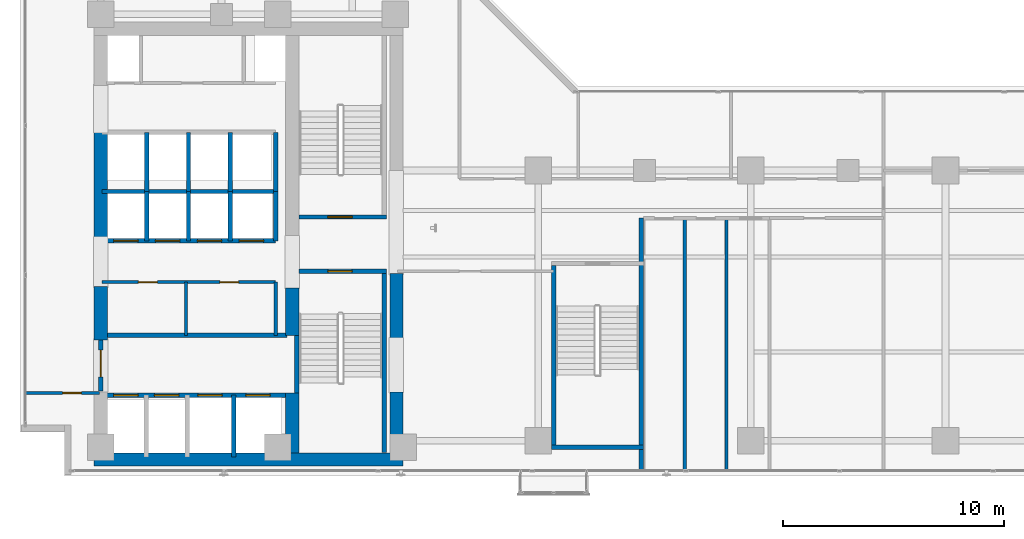
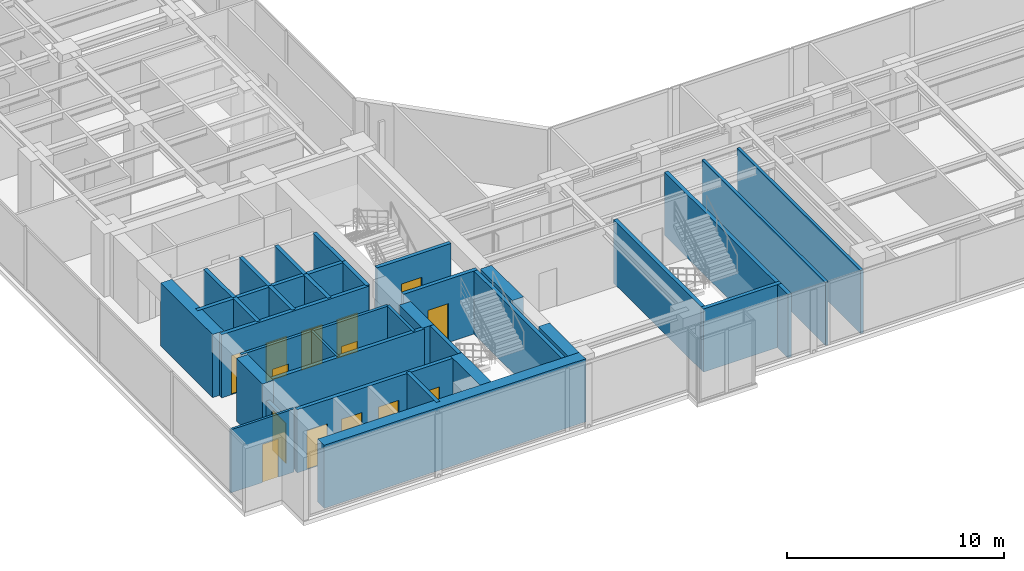
# One storey, part 19 of 24: 34 walls, 14 doors, 14 openings.
"""IFC4 building model written with IfcOpenShell, lengths in metres."""

import ifcopenshell
import ifcopenshell.guid

model = None  # the IFC model being written
_history = None  # IfcOwnerHistory: only IFC2X3 demands one
_inside = {}  # id of a spatial element -> (the spatial element, [elements in it])
_under = {}  # id of a project, library or spatial element -> (it, [spatial elements below it])
_declared = {}  # id of a project -> (the project, [libraries it declares])
_typed = {}  # id of a type object -> (the type object, [elements of that type])
_made_of = {}  # id of a material, layer set ... -> (it, [elements and type objects made of it])


def new_model(schema):
    """Start an empty IFC model of exactly this schema.

    Asked for "IFC4X3", IfcOpenShell would pick the latest addendum, in which some entities
    have other attributes; the version numbers below select the first issue.
    IFC2X3 requires an IfcOwnerHistory on every rooted entity: one is made here for all.
    """
    global model, _history
    if schema == "IFC4X3":
        model = ifcopenshell.file(schema_version=(4, 3, 0, 0))
    else:
        model = ifcopenshell.file(schema=schema)
    _inside.clear()
    _under.clear()
    _declared.clear()
    _typed.clear()
    _made_of.clear()
    _history = None
    if model.schema == "IFC2X3":
        org = make("IfcOrganization", Name="unknown")
        user = make(
            "IfcPersonAndOrganization",
            ThePerson=make("IfcPerson", FamilyName="unknown"),
            TheOrganization=org,
        )
        app = make(
            "IfcApplication",
            ApplicationDeveloper=org,
            Version="unknown",
            ApplicationFullName="unknown",
            ApplicationIdentifier="unknown",
        )
        _history = make(
            "IfcOwnerHistory",
            OwningUser=user,
            OwningApplication=app,
            ChangeAction="ADDED",
            CreationDate=0,
        )
    return model


def make(cls, **values):
    """One entity of the class cls with the attributes given. An attribute that is None is left unset."""
    return model.create_entity(
        cls, **{name: value for name, value in values.items() if value is not None}
    )


def rooted(cls, **values):
    """An entity with a GlobalId (a new one), such as an element, a storey or a relation."""
    return make(cls, GlobalId=ifcopenshell.guid.new(), OwnerHistory=_history, **values)


def si_unit(unit_type, name, prefix=None):
    """IfcSIUnit, for example si_unit("LENGTHUNIT", "METRE", prefix="MILLI")."""
    return make("IfcSIUnit", UnitType=unit_type, Prefix=prefix, Name=name)


def assignment(units):
    """IfcUnitAssignment: the units of a project."""
    return None if units is None else make("IfcUnitAssignment", Units=units)


def point(xyz):
    """IfcCartesianPoint."""
    return None if xyz is None else make("IfcCartesianPoint", Coordinates=xyz)


def direction(xyz):
    """IfcDirection."""
    return None if xyz is None else make("IfcDirection", DirectionRatios=xyz)


def frame(location, z_axis=None, x_axis=None):
    """IfcAxis2Placement3D, a coordinate frame: its origin and axes. An axis left out is left unset."""
    return make(
        "IfcAxis2Placement3D",
        Location=point(location),
        Axis=direction(z_axis),
        RefDirection=direction(x_axis),
    )


def frame_2d(location, x_axis=None):
    """IfcAxis2Placement2D, a coordinate frame in the plane: its origin and x axis."""
    return make(
        "IfcAxis2Placement2D", Location=point(location), RefDirection=direction(x_axis)
    )


def origin():
    """The frame at (0, 0, 0) with its axes left unset."""
    return frame((0.0, 0.0, 0.0))


def place(relative_to, where):
    """IfcLocalPlacement: puts the frame where relative to a parent placement (None: the world)."""
    return make(
        "IfcLocalPlacement", PlacementRelTo=relative_to, RelativePlacement=where
    )


def context(
    kind, dimensions, precision=None, world=None, true_north=None, identifier=None
):
    """IfcGeometricRepresentationContext, for example the 3D "Model" context."""
    return make(
        "IfcGeometricRepresentationContext",
        ContextIdentifier=identifier,
        ContextType=kind,
        CoordinateSpaceDimension=dimensions,
        Precision=precision,
        WorldCoordinateSystem=world,
        TrueNorth=true_north,
    )


def subcontext(parent, identifier, kind, view, scale=None):
    """IfcGeometricRepresentationSubContext, for example "Body" below "Model"."""
    return make(
        "IfcGeometricRepresentationSubContext",
        ContextIdentifier=identifier,
        ContextType=kind,
        ParentContext=parent,
        TargetScale=scale,
        TargetView=view,
    )


def project(units=None, contexts=None):
    """IfcProject with its units and contexts."""
    return rooted(
        "IfcProject",
        Name="project",
        RepresentationContexts=contexts,
        UnitsInContext=assignment(units),
    )


def spatial(cls, under=None, at=None, **own):
    """A site, building, storey or space (cls), placed at a placement, below another one or the project."""
    s = rooted(cls, ObjectPlacement=at, **own)
    if under is not None:
        _under.setdefault(under.id(), (under, []))[1].append(s)
    return s


def profile(cls, at=None, kind="AREA", **sizes):
    """A parametric profile (cls). Its sizes go by their IFC names, for example OverallWidth=200.0."""
    return make(cls, ProfileType=kind, Position=at, **sizes)


def rectangle(**sizes):
    """IfcRectangleProfileDef."""
    return profile("IfcRectangleProfileDef", **sizes)


def extrude(swept, where, along, depth):
    """IfcExtrudedAreaSolid: the profile swept, set in the frame where, extruded along a direction by depth."""
    return make(
        "IfcExtrudedAreaSolid",
        SweptArea=swept,
        Position=where,
        ExtrudedDirection=direction(along),
        Depth=depth,
    )


def shape(context_of_items, identifier, shape_type, items):
    """IfcShapeRepresentation: the items that make up one representation, for example the "Body"."""
    return make(
        "IfcShapeRepresentation",
        ContextOfItems=context_of_items,
        RepresentationIdentifier=identifier,
        RepresentationType=shape_type,
        Items=items,
    )


def material(Name=None, Category=None):
    """IfcMaterial."""
    return make("IfcMaterial", Name=Name, Category=Category)


def layer(
    of_material, thickness, ventilated=None, Name=None, Category=None, Priority=None
):
    """IfcMaterialLayer: one layer of a wall or slab, of a material (None: an air gap)."""
    return make(
        "IfcMaterialLayer",
        Material=of_material,
        LayerThickness=thickness,
        IsVentilated=ventilated,
        Name=Name,
        Category=Category,
        Priority=Priority,
    )


def layer_set(layers, Name=None):
    """IfcMaterialLayerSet."""
    return make("IfcMaterialLayerSet", MaterialLayers=layers, LayerSetName=Name)


def made_of(thing, what):
    """Note that an element or type object is made of a material, layer set ...; save() writes the relation."""
    if what is not None:
        _made_of.setdefault(what.id(), (what, []))[1].append(thing)
    return thing


def type_object(cls, material=None, **own):
    """A type object (cls), such as IfcWallType, which elements share."""
    return made_of(rooted(cls, **own), material)


def element(
    cls,
    number,
    at=None,
    inside=None,
    cuts=None,
    type_object=None,
    material=None,
    context=None,
    identifier="Body",
    shape_type=None,
    held_by="IfcProductDefinitionShape",
    body=None,
    shapes=None,
    **own,
):
    """One element of the class cls, such as IfcWall. Its Tag is "e" and its number.

    at: its placement. inside: the storey or other place that contains it. cuts: it is an
    opening in that element (IfcRelVoidsElement). A single representation is given by context,
    identifier, shape_type and body (its items); several are given by shapes. held_by: the class
    of the entity that holds the representations. save() writes the other relations.
    """
    e = rooted(cls, Tag="e%d" % number, ObjectPlacement=at, **own)
    if body is not None:
        shapes = [shape(context, identifier, shape_type, body)]
    if shapes is not None:
        e.Representation = make(held_by, Representations=shapes)
    if inside is not None:
        _inside.setdefault(inside.id(), (inside, []))[1].append(e)
    if cuts is not None:
        rooted(
            "IfcRelVoidsElement", RelatingBuildingElement=cuts, RelatedOpeningElement=e
        )
    if type_object is not None:
        _typed.setdefault(type_object.id(), (type_object, []))[1].append(e)
    return made_of(e, material)


def fill(opening, filler):
    """IfcRelFillsElement: the door or window that sits in an opening."""
    return rooted(
        "IfcRelFillsElement",
        RelatingOpeningElement=opening,
        RelatedBuildingElement=filler,
    )


def aggregate(whole, parts):
    """IfcRelAggregates: a whole, such as a stair, and the parts it consists of."""
    return rooted("IfcRelAggregates", RelatingObject=whole, RelatedObjects=parts)


def save(model, path):
    """Write the relations noted so far, then the file.

    IfcRelAggregates (storeys below a building ...), IfcRelContainedInSpatialStructure (elements
    in a storey), IfcRelDefinesByType, IfcRelAssociatesMaterial and IfcRelDeclares: one each for
    every whole, place, type object, material and project.
    """
    for whole, parts in _under.values():
        aggregate(whole, parts)
    for where, things in _inside.values():
        rooted(
            "IfcRelContainedInSpatialStructure",
            RelatedElements=things,
            RelatingStructure=where,
        )
    for kind, things in _typed.values():
        rooted("IfcRelDefinesByType", RelatedObjects=things, RelatingType=kind)
    for what, things in _made_of.values():
        rooted("IfcRelAssociatesMaterial", RelatedObjects=things, RelatingMaterial=what)
    for by, libraries in _declared.values():
        rooted("IfcRelDeclares", RelatingContext=by, RelatedDefinitions=libraries)
    model.write(path)


model = new_model("IFC4")

# Units and contexts
model_context = context("Model", 3, precision=1e-05, world=origin(), true_north=direction((0.0, 1.0)))
body_context = subcontext(model_context, "Body", "Model", "MODEL_VIEW")
ifc_project = project(units=[si_unit("LENGTHUNIT", "METRE"), si_unit("AREAUNIT", "SQUARE_METRE"), si_unit("VOLUMEUNIT", "CUBIC_METRE"), si_unit("PLANEANGLEUNIT", "RADIAN"), si_unit("MASSUNIT", "GRAM", prefix="KILO")], contexts=[model_context])

# Site, building, storey
site_placement = place(None, origin())
site = spatial("IfcSite", under=ifc_project, at=site_placement, CompositionType="ELEMENT")
building_placement = place(site_placement, origin())
building = spatial("IfcBuilding", under=site, at=building_placement, Name="Kolvaren Waterfront Exchange", CompositionType="ELEMENT")
storey_placement = place(building_placement, frame((0.0, 0.0, 184.199951171875)))
storey = spatial("IfcBuildingStorey", under=building, at=storey_placement, Name="L47", CompositionType="ELEMENT", Elevation=184.199951171875)

# Wall, opening, door
ifc_material_1 = material(Name="Precast concrete C40/50", Category="concrete")
ifc_layer_1 = layer(ifc_material_1, 0.199951171875, Name="Precast concrete C40/50")
ifc_layer_set_1 = layer_set([ifc_layer_1], Name="Precast concrete C40/50")
wall_type_1 = type_object("IfcWallType", Name="ARC-FIRE-200", PredefinedType="PARTITIONING", material=ifc_layer_set_1)
wall_1_placement = place(storey_placement, frame((16.39990234375, 12.85009765625, 0.0), z_axis=(0.0, 0.0, 1.0), x_axis=(1.0, 0.0, 0.0)))
wall_1 = element("IfcWall", 1, at=wall_1_placement, inside=storey, type_object=wall_type_1, Name="L47 interior wall PW-L47-ST1-THROAT-S", PredefinedType="PARTITIONING", context=body_context, shape_type="SweptSolid", body=[
    extrude(rectangle(XDim=3.960205078125, YDim=0.199951171875, at=frame_2d((1.97998046875, 0.0))), origin(), (0.0, 0.0, 1.0), 3.56005859375),
])
opening_1_placement = place(wall_1_placement, frame((1.3037109375, 0.0, 0.0)))
opening_1 = element("IfcOpeningElement", 2, at=opening_1_placement, cuts=wall_1, Name="Opening FD2", PredefinedType="OPENING", context=body_context, shape_type="SweptSolid", body=[
    extrude(rectangle(XDim=1.10009765625, YDim=2.199951171875, at=frame_2d((0.550048828125, 1.10009765625))), frame((0.0, 0.10986328125, 0.0), z_axis=(0.0, -1.0, 0.0), x_axis=(1.0, 0.0, 0.0)), (0.0, 0.0, 1.0), 0.219970703125),
])
ifc_material_2 = material(Name="Pressed steel smoke-seal fire door", Category="steel")
door_type_1 = type_object("IfcDoorType", Name="ARC-FD-1100", OperationType="NOTDEFINED", PredefinedType="DOOR", material=ifc_material_2)
door_1_placement = place(opening_1_placement, frame((1.10009765625, 0.0, 0.0), z_axis=(0.0, 0.0, 1.0), x_axis=(-1.0, 0.0, 0.0)))
door_1 = element("IfcDoor", 3, at=door_1_placement, inside=storey, type_object=door_type_1, Name="L47 door DR-L47-ST1-IN (FD2)", OperationType="SINGLE_SWING_RIGHT", OverallHeight=2.199951171875, OverallWidth=1.10009765625, PredefinedType="DOOR", context=body_context, shape_type="SweptSolid", body=[
    extrude(rectangle(XDim=1.10009765625, YDim=2.199951171875, at=frame_2d((0.550048828125, 1.10009765625))), frame((0.0, 0.02490234375, 0.0), z_axis=(0.0, -1.0, 0.0), x_axis=(1.0, 0.0, 0.0)), (0.0, 0.0, 1.0), 0.050048828125),
])
fill(opening_1, door_1)

wall_2_placement = place(storey_placement, frame((16.409912109375, 15.300048828125, 0.0), z_axis=(0.0, 0.0, 1.0), x_axis=(1.0, 0.0, 0.0)))
wall_2 = element("IfcWall", 4, at=wall_2_placement, inside=storey, type_object=wall_type_1, Name="L47 interior wall PW-L47-ST2-THROAT-N", PredefinedType="PARTITIONING", context=body_context, shape_type="SweptSolid", body=[
    extrude(rectangle(XDim=3.9501953125, YDim=0.199951171875, at=frame_2d((1.97509765625, 0.0))), origin(), (0.0, 0.0, 1.0), 3.56005859375),
])
opening_2_placement = place(wall_2_placement, frame((1.293701171875, 0.0, 0.0)))
opening_2 = element("IfcOpeningElement", 5, at=opening_2_placement, cuts=wall_2, Name="Opening FD2", PredefinedType="OPENING", context=body_context, shape_type="SweptSolid", body=[
    extrude(rectangle(XDim=1.10009765625, YDim=2.199951171875, at=frame_2d((0.550048828125, 1.10009765625))), frame((0.0, 0.10986328125, 0.0), z_axis=(0.0, -1.0, 0.0), x_axis=(1.0, 0.0, 0.0)), (0.0, 0.0, 1.0), 0.219970703125),
])
door_2_placement = place(opening_2_placement, origin())
door_2 = element("IfcDoor", 6, at=door_2_placement, inside=storey, type_object=door_type_1, Name="L47 door DR-L47-ST2-IN (FD2)", OperationType="SINGLE_SWING_LEFT", OverallHeight=2.199951171875, OverallWidth=1.10009765625, PredefinedType="DOOR", context=body_context, shape_type="SweptSolid", body=[
    extrude(rectangle(XDim=1.10009765625, YDim=2.199951171875, at=frame_2d((0.550048828125, 1.10009765625))), frame((0.0, 0.02490234375, 0.0), z_axis=(0.0, -1.0, 0.0), x_axis=(1.0, 0.0, 0.0)), (0.0, 0.0, 1.0), 0.050048828125),
])
fill(opening_2, door_2)

# Wall
wall_3_placement = place(storey_placement, frame((7.5, 9.949951171875, 0.0), z_axis=(0.0, 0.0, 1.0), x_axis=(1.0, 0.0, 0.0)))
element("IfcWall", 7, at=wall_3_placement, inside=storey, type_object=wall_type_1, Name="L47 interior wall PW-L47-FF-N", PredefinedType="PARTITIONING", context=body_context, shape_type="SweptSolid", body=[
    extrude(rectangle(XDim=8.35009765625, YDim=0.199951171875, at=frame_2d((4.175048828125, 0.0))), origin(), (0.0, 0.0, 1.0), 3.56005859375),
])

# Wall, opening, door
wall_4_placement = place(storey_placement, frame((7.449951171875, 7.449951171875, 0.0), z_axis=(0.0, 0.0, 1.0), x_axis=(0.0, 1.0, 0.0)))
wall_4 = element("IfcWall", 8, at=wall_4_placement, inside=storey, type_object=wall_type_1, Name="L47 interior wall PW-L47-FF-W-DOOR", PredefinedType="PARTITIONING", context=body_context, shape_type="SweptSolid", body=[
    extrude(rectangle(XDim=2.300048828125, YDim=0.199951171875, at=frame_2d((1.14990234375, 0.0))), origin(), (0.0, 0.0, 1.0), 2.5400390625),
])
opening_3_placement = place(wall_4_placement, frame((0.63330078125, 0.0, 0.0)))
opening_3 = element("IfcOpeningElement", 9, at=opening_3_placement, cuts=wall_4, Name="Opening FD3", PredefinedType="OPENING", context=body_context, shape_type="SweptSolid", body=[
    extrude(rectangle(XDim=1.199951171875, YDim=2.25, at=frame_2d((0.60009765625, 1.125))), frame((0.0, 0.10986328125, 0.0), z_axis=(0.0, -1.0, 0.0), x_axis=(1.0, 0.0, 0.0)), (0.0, 0.0, 1.0), 0.219970703125),
])
ifc_material_3 = material(Name="Pressed steel fire door", Category="steel")
door_type_2 = type_object("IfcDoorType", Name="ARC-FD-1200", OperationType="NOTDEFINED", PredefinedType="DOOR", material=ifc_material_3)
door_3_placement = place(opening_3_placement, frame((1.199951171875, 0.0, 0.0), z_axis=(0.0, 0.0, 1.0), x_axis=(-1.0, 0.0, 0.0)))
door_3 = element("IfcDoor", 10, at=door_3_placement, inside=storey, type_object=door_type_2, Name="L47 door DR-L47-FF-OUT (FD3)", OperationType="SINGLE_SWING_LEFT", OverallHeight=2.25, OverallWidth=1.199951171875, PredefinedType="DOOR", context=body_context, shape_type="SweptSolid", body=[
    extrude(rectangle(XDim=1.199951171875, YDim=2.25, at=frame_2d((0.60009765625, 1.125))), frame((0.0, 0.02490234375, 0.0), z_axis=(0.0, -1.0, 0.0), x_axis=(1.0, 0.0, 0.0)), (0.0, 0.0, 1.0), 0.050048828125),
])
fill(opening_3, door_3)

# Wall
ifc_material_4 = material(Name="Acoustic gypsum steel stud", Category="steel")
ifc_layer_2 = layer(ifc_material_4, 0.125, Name="Acoustic gypsum steel stud")
ifc_layer_set_2 = layer_set([ifc_layer_2], Name="Acoustic gypsum steel stud")
wall_type_2 = type_object("IfcWallType", Name="ARC-PART-125", PredefinedType="PARTITIONING", material=ifc_layer_set_2)
wall_5_placement = place(storey_placement, frame((11.300048828125, 9.949951171875, 0.0), z_axis=(0.0, 0.0, 1.0), x_axis=(0.0, 1.0, 0.0)))
element("IfcWall", 11, at=wall_5_placement, inside=storey, type_object=wall_type_2, Name="L47 interior wall PW-L47-REC-PL-MID", PredefinedType="PARTITIONING", context=body_context, shape_type="SweptSolid", body=[
    extrude(rectangle(XDim=2.41015625, YDim=0.125, at=frame_2d((1.205078125, 0.0))), origin(), (0.0, 0.0, 1.0), 3.56005859375),
])

# Wall, opening, door
wall_6_placement = place(storey_placement, frame((4.0400390625, 7.35009765625, 0.0), z_axis=(0.0, 0.0, 1.0), x_axis=(1.0, 0.0, 0.0)))
wall_6 = element("IfcWall", 12, at=wall_6_placement, inside=storey, type_object=wall_type_2, Name="L47 interior wall PW-L47-SWC-N", PredefinedType="PARTITIONING", context=body_context, shape_type="SweptSolid", body=[
    extrude(rectangle(XDim=3.35986328125, YDim=0.125, at=frame_2d((1.679931640625, 0.0))), origin(), (0.0, 0.0, 1.0), 3.56005859375),
])
opening_4_placement = place(wall_6_placement, frame((1.686767578125, 0.0, 0.0)))
opening_4 = element("IfcOpeningElement", 13, at=opening_4_placement, cuts=wall_6, Name="Opening D01", PredefinedType="OPENING", context=body_context, shape_type="SweptSolid", body=[
    extrude(rectangle(XDim=0.85009765625, YDim=2.14990234375, at=frame_2d((0.425048828125, 1.074951171875))), frame((0.0, 0.072509765625, 0.0), z_axis=(0.0, -1.0, 0.0), x_axis=(1.0, 0.0, 0.0)), (0.0, 0.0, 1.0), 0.14501953125),
])
ifc_material_5 = material(Name="Oak veneer timber leaf", Category="wood")
door_type_3 = type_object("IfcDoorType", Name="ARC-DR-900", OperationType="NOTDEFINED", PredefinedType="DOOR", material=ifc_material_5)
door_4_placement = place(opening_4_placement, origin())
door_4 = element("IfcDoor", 14, at=door_4_placement, inside=storey, type_object=door_type_3, Name="L47 door DR-L47-SWC-D (D01)", OperationType="SINGLE_SWING_RIGHT", OverallHeight=2.14990234375, OverallWidth=0.85009765625, PredefinedType="DOOR", context=body_context, shape_type="SweptSolid", body=[
    extrude(rectangle(XDim=0.85009765625, YDim=2.14990234375, at=frame_2d((0.425048828125, 1.074951171875))), frame((0.0, 0.02490234375, 0.0), z_axis=(0.0, -1.0, 0.0), x_axis=(1.0, 0.0, 0.0)), (0.0, 0.0, 1.0), 0.050048828125),
])
fill(opening_4, door_4)

# Wall, openings, doors
ifc_material_6 = material(Name="Gypsum fireboard steel stud", Category="steel")
ifc_layer_3 = layer(ifc_material_6, 0.14990234375, Name="Gypsum fireboard steel stud")
ifc_layer_set_3 = layer_set([ifc_layer_3], Name="Gypsum fireboard steel stud")
wall_type_3 = type_object("IfcWallType", Name="ARC-PART-150", PredefinedType="PARTITIONING", material=ifc_layer_set_3)
wall_7_placement = place(storey_placement, frame((7.5, 12.360107421875, 0.0), z_axis=(0.0, 0.0, 1.0), x_axis=(1.0, 0.0, 0.0)))
wall_7 = element("IfcWall", 15, at=wall_7_placement, inside=storey, type_object=wall_type_3, Name="L47 interior wall PW-L47-REC-PL-N", PredefinedType="PARTITIONING", context=body_context, shape_type="SweptSolid", body=[
    extrude(rectangle(XDim=7.85009765625, YDim=0.14990234375, at=frame_2d((3.925048828125, 0.0))), origin(), (0.0, 0.0, 1.0), 3.56005859375),
])
opening_5_placement = place(wall_7_placement, frame((1.64990234375, 0.0, 0.0)))
opening_5 = element("IfcOpeningElement", 16, at=opening_5_placement, cuts=wall_7, Name="Opening D01", PredefinedType="OPENING", context=body_context, shape_type="SweptSolid", body=[
    extrude(rectangle(XDim=0.85009765625, YDim=2.14990234375, at=frame_2d((0.425048828125, 1.074951171875))), frame((0.0, 0.0849609375, 0.0), z_axis=(0.0, -1.0, 0.0), x_axis=(1.0, 0.0, 0.0)), (0.0, 0.0, 1.0), 0.169921875),
])
opening_6_placement = place(wall_7_placement, frame((5.329345703125, 0.0, 0.0)))
opening_6 = element("IfcOpeningElement", 17, at=opening_6_placement, cuts=wall_7, Name="Opening D01", PredefinedType="OPENING", context=body_context, shape_type="SweptSolid", body=[
    extrude(rectangle(XDim=0.85009765625, YDim=2.14990234375, at=frame_2d((0.425048828125, 1.074951171875))), frame((0.0, 0.0849609375, 0.0), z_axis=(0.0, -1.0, 0.0), x_axis=(1.0, 0.0, 0.0)), (0.0, 0.0, 1.0), 0.169921875),
])
door_5_placement = place(opening_5_placement, origin())
door_5 = element("IfcDoor", 18, at=door_5_placement, inside=storey, type_object=door_type_3, Name="L47 door DR-L47-REC-PL-D1 (D01)", OperationType="SINGLE_SWING_RIGHT", OverallHeight=2.14990234375, OverallWidth=0.85009765625, PredefinedType="DOOR", context=body_context, shape_type="SweptSolid", body=[
    extrude(rectangle(XDim=0.85009765625, YDim=2.14990234375, at=frame_2d((0.425048828125, 1.074951171875))), frame((0.0, 0.02490234375, 0.0), z_axis=(0.0, -1.0, 0.0), x_axis=(1.0, 0.0, 0.0)), (0.0, 0.0, 1.0), 0.050048828125),
])
fill(opening_5, door_5)
door_6_placement = place(opening_6_placement, origin())
door_6 = element("IfcDoor", 19, at=door_6_placement, inside=storey, type_object=door_type_3, Name="L47 door DR-L47-REC-PL-D2 (D01)", OperationType="SINGLE_SWING_LEFT", OverallHeight=2.14990234375, OverallWidth=0.85009765625, PredefinedType="DOOR", context=body_context, shape_type="SweptSolid", body=[
    extrude(rectangle(XDim=0.85009765625, YDim=2.14990234375, at=frame_2d((0.425048828125, 1.074951171875))), frame((0.0, 0.02490234375, 0.0), z_axis=(0.0, -1.0, 0.0), x_axis=(1.0, 0.0, 0.0)), (0.0, 0.0, 1.0), 0.050048828125),
])
fill(opening_6, door_6)

# Walls
wall_8_placement = place(storey_placement, frame((15.35009765625, 9.949951171875, 0.0), z_axis=(0.0, 0.0, 1.0), x_axis=(0.0, 1.0, 0.0)))
element("IfcWall", 20, at=wall_8_placement, inside=storey, type_object=wall_type_3, Name="L47 interior wall PW-L47-REC-PL-E", PredefinedType="PARTITIONING", context=body_context, shape_type="SweptSolid", body=[
    extrude(rectangle(XDim=2.41015625, YDim=0.14990234375, at=frame_2d((1.205078125, 0.0))), origin(), (0.0, 0.0, 1.0), 3.56005859375),
])
ifc_material_7 = material(Name="Moisture-resistant gypsum stud")
ifc_layer_4 = layer(ifc_material_7, 0.14990234375, Name="Moisture-resistant gypsum stud")
ifc_layer_set_4 = layer_set([ifc_layer_4], Name="Moisture-resistant gypsum stud")
wall_type_4 = type_object("IfcWallType", Name="ARC-PLUMB-150", PredefinedType="PLUMBINGWALL", material=ifc_layer_set_4)
for number, where, z_axis, x_axis, name in (
    (21, (33.830078125, 3.840087890625, 0.0), (0.0, 0.0, 1.0), (0.0, 1.0, 0.0), "L47 interior wall PW-L47-WC-1"),
    (22, (35.7099609375, 3.840087890625, 0.0), (0.0, 0.0, 1.0), (0.0, 1.0, 0.0), "L47 interior wall PW-L47-WC-2"),
):
    element("IfcWall", number, at=place(storey_placement, frame(where, z_axis=z_axis, x_axis=x_axis)), inside=storey, type_object=wall_type_4, Name=name, PredefinedType="PLUMBINGWALL", context=body_context, shape_type="SweptSolid", body=[
        extrude(rectangle(XDim=11.409912109375, YDim=0.14990234375, at=frame_2d((5.705078125, 0.0))), origin(), (0.0, 0.0, 1.0), 3.56005859375),
    ])
ifc_material_8 = material(Name="Concrete C40/50", Category="concrete")
ifc_layer_5 = layer(ifc_material_8, 0.199951171875, Name="Concrete C40/50")
ifc_layer_set_5 = layer_set([ifc_layer_5], Name="Concrete C40/50")
wall_type_5 = type_object("IfcWallType", Name="ARC-SHAFT-200", PredefinedType="PARTITIONING", material=ifc_layer_set_5)
wall_9_placement = place(storey_placement, frame((16.300048828125, 7.360107421875, 0.0), z_axis=(0.0, 0.0, 1.0), x_axis=(0.0, 1.0, 0.0)))
element("IfcWall", 23, at=wall_9_placement, inside=storey, type_object=wall_type_5, Name="L47 structural stairwell wall PW-L47-ST1-W", PredefinedType="SHEAR", context=body_context, shape_type="SweptSolid", body=[
    extrude(rectangle(XDim=2.579833984375, YDim=0.199951171875, at=frame_2d((1.2900390625, 0.0))), origin(), (0.0, 0.0, 1.0), 3.56005859375),
])
wall_10_placement = place(storey_placement, frame((20.260009765625, 4.659912109375, 0.0), z_axis=(0.0, 0.0, 1.0), x_axis=(0.0, 1.0, 0.0)))
element("IfcWall", 24, at=wall_10_placement, inside=storey, type_object=wall_type_5, Name="L47 structural stairwell wall PW-L47-ST1-E", PredefinedType="SHEAR", context=body_context, shape_type="SweptSolid", body=[
    extrude(rectangle(XDim=8.090087890625, YDim=0.199951171875, at=frame_2d((4.044921875, 0.0))), origin(), (0.0, 0.0, 1.0), 3.56005859375),
])
wall_11_placement = place(storey_placement, frame((27.89990234375, 5.0, 0.0), z_axis=(0.0, 0.0, 1.0), x_axis=(0.0, 1.0, 0.0)))
element("IfcWall", 25, at=wall_11_placement, inside=storey, type_object=wall_type_5, Name="L47 structural stairwell wall PW-L47-ST3-W", PredefinedType="SHEAR", context=body_context, shape_type="SweptSolid", body=[
    extrude(rectangle(XDim=8.10009765625, YDim=0.199951171875, at=frame_2d((4.050048828125, 0.0))), origin(), (0.0, 0.0, 1.0), 3.56005859375),
])
wall_12_placement = place(storey_placement, frame((31.860107421875, 3.840087890625, 0.0), z_axis=(0.0, 0.0, 1.0), x_axis=(0.0, 1.0, 0.0)))
element("IfcWall", 26, at=wall_12_placement, inside=storey, type_object=wall_type_5, Name="L47 structural stairwell wall PW-L47-ST3-E", PredefinedType="SHEAR", context=body_context, shape_type="SweptSolid", body=[
    extrude(rectangle(XDim=11.409912109375, YDim=0.199951171875, at=frame_2d((5.705078125, 0.0))), origin(), (0.0, 0.0, 1.0), 3.56005859375),
])
wall_13_placement = place(storey_placement, frame((27.800048828125, 4.89990234375, 0.0), z_axis=(0.0, 0.0, 1.0), x_axis=(1.0, 0.0, 0.0)))
element("IfcWall", 27, at=wall_13_placement, inside=storey, type_object=wall_type_5, Name="L47 structural stairwell wall PW-L47-ST3-S", PredefinedType="SHEAR", context=body_context, shape_type="SweptSolid", body=[
    extrude(rectangle(XDim=4.159912109375, YDim=0.199951171875, at=frame_2d((2.080078125, 0.0))), origin(), (0.0, 0.0, 1.0), 3.56005859375),
])

# Wall, openings, doors
wall_14_placement = place(storey_placement, frame((7.5, 7.25, 0.0), z_axis=(0.0, 0.0, 1.0), x_axis=(1.0, 0.0, 0.0)))
wall_14 = element("IfcWall", 28, at=wall_14_placement, inside=storey, type_object=wall_type_5, Name="L47 interior wall PW-L47-FF-S", PredefinedType="PARTITIONING", context=body_context, shape_type="SweptSolid", body=[
    extrude(rectangle(XDim=8.35009765625, YDim=0.199951171875, at=frame_2d((4.175048828125, 0.0))), origin(), (0.0, 0.0, 1.0), 3.56005859375),
])
opening_7_placement = place(wall_14_placement, frame((0.530029296875, 0.0, 0.0)))
opening_7 = element("IfcOpeningElement", 29, at=opening_7_placement, cuts=wall_14, Name="Opening LD1", PredefinedType="OPENING", context=body_context, shape_type="SweptSolid", body=[
    extrude(rectangle(XDim=1.10009765625, YDim=2.199951171875, at=frame_2d((0.550048828125, 1.10009765625))), frame((0.0, 0.10986328125, 0.0), z_axis=(0.0, -1.0, 0.0), x_axis=(1.0, 0.0, 0.0)), (0.0, 0.0, 1.0), 0.219970703125),
])
opening_8_placement = place(wall_14_placement, frame((2.3701171875, 0.0, 0.0)))
opening_8 = element("IfcOpeningElement", 30, at=opening_8_placement, cuts=wall_14, Name="Opening LD1", PredefinedType="OPENING", context=body_context, shape_type="SweptSolid", body=[
    extrude(rectangle(XDim=1.10009765625, YDim=2.199951171875, at=frame_2d((0.550048828125, 1.10009765625))), frame((0.0, 0.10986328125, 0.0), z_axis=(0.0, -1.0, 0.0), x_axis=(1.0, 0.0, 0.0)), (0.0, 0.0, 1.0), 0.219970703125),
])
opening_9_placement = place(wall_14_placement, frame((4.330078125, 0.0, 0.0)))
opening_9 = element("IfcOpeningElement", 31, at=opening_9_placement, cuts=wall_14, Name="Opening LD1", PredefinedType="OPENING", context=body_context, shape_type="SweptSolid", body=[
    extrude(rectangle(XDim=1.10009765625, YDim=2.199951171875, at=frame_2d((0.550048828125, 1.10009765625))), frame((0.0, 0.10986328125, 0.0), z_axis=(0.0, -1.0, 0.0), x_axis=(1.0, 0.0, 0.0)), (0.0, 0.0, 1.0), 0.219970703125),
])
opening_10_placement = place(wall_14_placement, frame((6.5, 0.0, 0.0)))
opening_10 = element("IfcOpeningElement", 32, at=opening_10_placement, cuts=wall_14, Name="Opening LD1", PredefinedType="OPENING", context=body_context, shape_type="SweptSolid", body=[
    extrude(rectangle(XDim=1.10009765625, YDim=2.199951171875, at=frame_2d((0.550048828125, 1.10009765625))), frame((0.0, 0.10986328125, 0.0), z_axis=(0.0, -1.0, 0.0), x_axis=(1.0, 0.0, 0.0)), (0.0, 0.0, 1.0), 0.219970703125),
])
ifc_material_9 = material(Name="Stainless steel sliding landing door", Category="steel")
door_type_4 = type_object("IfcDoorType", Name="ARC-LD-FF", OperationType="SLIDING_TO_LEFT", PredefinedType="DOOR", material=ifc_material_9)
door_7_placement = place(opening_7_placement, origin())
door_7 = element("IfcDoor", 33, at=door_7_placement, inside=storey, type_object=door_type_4, Name="L47 door LD-L47-FFL1 (LD1)", OperationType="SLIDING_TO_LEFT", OverallHeight=2.199951171875, OverallWidth=1.10009765625, PredefinedType="DOOR", context=body_context, shape_type="SweptSolid", body=[
    extrude(rectangle(XDim=1.10009765625, YDim=2.199951171875, at=frame_2d((0.550048828125, 1.10009765625))), frame((0.0, 0.02490234375, 0.0), z_axis=(0.0, -1.0, 0.0), x_axis=(1.0, 0.0, 0.0)), (0.0, 0.0, 1.0), 0.050048828125),
])
fill(opening_7, door_7)
door_8_placement = place(opening_8_placement, origin())
door_8 = element("IfcDoor", 34, at=door_8_placement, inside=storey, type_object=door_type_4, Name="L47 door LD-L47-FFL2 (LD1)", OperationType="SLIDING_TO_LEFT", OverallHeight=2.199951171875, OverallWidth=1.10009765625, PredefinedType="DOOR", context=body_context, shape_type="SweptSolid", body=[
    extrude(rectangle(XDim=1.10009765625, YDim=2.199951171875, at=frame_2d((0.550048828125, 1.10009765625))), frame((0.0, 0.02490234375, 0.0), z_axis=(0.0, -1.0, 0.0), x_axis=(1.0, 0.0, 0.0)), (0.0, 0.0, 1.0), 0.050048828125),
])
fill(opening_8, door_8)
door_9_placement = place(opening_9_placement, origin())
door_9 = element("IfcDoor", 35, at=door_9_placement, inside=storey, type_object=door_type_4, Name="L47 door LD-L47-GL1 (LD1)", OperationType="SLIDING_TO_LEFT", OverallHeight=2.199951171875, OverallWidth=1.10009765625, PredefinedType="DOOR", context=body_context, shape_type="SweptSolid", body=[
    extrude(rectangle(XDim=1.10009765625, YDim=2.199951171875, at=frame_2d((0.550048828125, 1.10009765625))), frame((0.0, 0.02490234375, 0.0), z_axis=(0.0, -1.0, 0.0), x_axis=(1.0, 0.0, 0.0)), (0.0, 0.0, 1.0), 0.050048828125),
])
fill(opening_9, door_9)
door_10_placement = place(opening_10_placement, origin())
door_10 = element("IfcDoor", 36, at=door_10_placement, inside=storey, type_object=door_type_4, Name="L47 door LD-L47-GL2 (LD1)", OperationType="SLIDING_TO_LEFT", OverallHeight=2.199951171875, OverallWidth=1.10009765625, PredefinedType="DOOR", context=body_context, shape_type="SweptSolid", body=[
    extrude(rectangle(XDim=1.10009765625, YDim=2.199951171875, at=frame_2d((0.550048828125, 1.10009765625))), frame((0.0, 0.02490234375, 0.0), z_axis=(0.0, -1.0, 0.0), x_axis=(1.0, 0.0, 0.0)), (0.0, 0.0, 1.0), 0.050048828125),
])
fill(opening_10, door_10)

# Wall
wall_15_placement = place(storey_placement, frame((13.4599609375, 4.449951171875, 0.0), z_axis=(0.0, 0.0, 1.0), x_axis=(0.0, 1.0, 0.0)))
element("IfcWall", 37, at=wall_15_placement, inside=storey, type_object=wall_type_5, Name="L47 interior wall PW-L47-SH1-DIV-134", PredefinedType="PARTITIONING", context=body_context, shape_type="SweptSolid", body=[
    extrude(rectangle(XDim=2.800048828125, YDim=0.199951171875, at=frame_2d((1.39990234375, 0.0))), origin(), (0.0, 0.0, 1.0), 3.56005859375),
])

# Wall, openings, doors
wall_16_placement = place(storey_placement, frame((7.5, 14.219970703125, 0.0), z_axis=(0.0, 0.0, 1.0), x_axis=(1.0, 0.0, 0.0)))
wall_16 = element("IfcWall", 38, at=wall_16_placement, inside=storey, type_object=wall_type_5, Name="L47 interior wall PW-L47-PM-S", PredefinedType="PARTITIONING", context=body_context, shape_type="SweptSolid", body=[
    extrude(rectangle(XDim=7.85009765625, YDim=0.199951171875, at=frame_2d((3.925048828125, 0.0))), origin(), (0.0, 0.0, 1.0), 3.56005859375),
])
opening_11_placement = place(wall_16_placement, frame((0.530029296875, 0.0, 0.0)))
opening_11 = element("IfcOpeningElement", 39, at=opening_11_placement, cuts=wall_16, Name="Opening LD2", PredefinedType="OPENING", context=body_context, shape_type="SweptSolid", body=[
    extrude(rectangle(XDim=1.10009765625, YDim=2.199951171875, at=frame_2d((0.550048828125, 1.10009765625))), frame((0.0, 0.10986328125, 0.0), z_axis=(0.0, -1.0, 0.0), x_axis=(1.0, 0.0, 0.0)), (0.0, 0.0, 1.0), 0.219970703125),
])
opening_12_placement = place(wall_16_placement, frame((2.419921875, 0.0, 0.0)))
opening_12 = element("IfcOpeningElement", 40, at=opening_12_placement, cuts=wall_16, Name="Opening LD2", PredefinedType="OPENING", context=body_context, shape_type="SweptSolid", body=[
    extrude(rectangle(XDim=1.10009765625, YDim=2.199951171875, at=frame_2d((0.550048828125, 1.10009765625))), frame((0.0, 0.10986328125, 0.0), z_axis=(0.0, -1.0, 0.0), x_axis=(1.0, 0.0, 0.0)), (0.0, 0.0, 1.0), 0.219970703125),
])
opening_13_placement = place(wall_16_placement, frame((4.31005859375, 0.0, 0.0)))
opening_13 = element("IfcOpeningElement", 41, at=opening_13_placement, cuts=wall_16, Name="Opening LD2", PredefinedType="OPENING", context=body_context, shape_type="SweptSolid", body=[
    extrude(rectangle(XDim=1.10009765625, YDim=2.199951171875, at=frame_2d((0.550048828125, 1.10009765625))), frame((0.0, 0.10986328125, 0.0), z_axis=(0.0, -1.0, 0.0), x_axis=(1.0, 0.0, 0.0)), (0.0, 0.0, 1.0), 0.219970703125),
])
opening_14_placement = place(wall_16_placement, frame((6.199951171875, 0.0, 0.0)))
opening_14 = element("IfcOpeningElement", 42, at=opening_14_placement, cuts=wall_16, Name="Opening LD2", PredefinedType="OPENING", context=body_context, shape_type="SweptSolid", body=[
    extrude(rectangle(XDim=1.10009765625, YDim=2.199951171875, at=frame_2d((0.550048828125, 1.10009765625))), frame((0.0, 0.10986328125, 0.0), z_axis=(0.0, -1.0, 0.0), x_axis=(1.0, 0.0, 0.0)), (0.0, 0.0, 1.0), 0.219970703125),
])
ifc_material_10 = material(Name="Brushed bronze sliding landing door", Category="aluminium")
door_type_5 = type_object("IfcDoorType", Name="ARC-LD-PAX", OperationType="SLIDING_TO_LEFT", PredefinedType="DOOR", material=ifc_material_10)
door_11_placement = place(opening_11_placement, frame((1.10009765625, 0.0, 0.0), z_axis=(0.0, 0.0, 1.0), x_axis=(-1.0, 0.0, 0.0)))
door_11 = element("IfcDoor", 43, at=door_11_placement, inside=storey, type_object=door_type_5, Name="L47 door LD-L47-PM1 (LD2)", OperationType="SLIDING_TO_LEFT", OverallHeight=2.199951171875, OverallWidth=1.10009765625, PredefinedType="DOOR", context=body_context, shape_type="SweptSolid", body=[
    extrude(rectangle(XDim=1.10009765625, YDim=2.199951171875, at=frame_2d((0.550048828125, 1.10009765625))), frame((0.0, 0.02490234375, 0.0), z_axis=(0.0, -1.0, 0.0), x_axis=(1.0, 0.0, 0.0)), (0.0, 0.0, 1.0), 0.050048828125),
])
fill(opening_11, door_11)
door_12_placement = place(opening_12_placement, frame((1.10009765625, 0.0, 0.0), z_axis=(0.0, 0.0, 1.0), x_axis=(-1.0, 0.0, 0.0)))
door_12 = element("IfcDoor", 44, at=door_12_placement, inside=storey, type_object=door_type_5, Name="L47 door LD-L47-PM2 (LD2)", OperationType="SLIDING_TO_LEFT", OverallHeight=2.199951171875, OverallWidth=1.10009765625, PredefinedType="DOOR", context=body_context, shape_type="SweptSolid", body=[
    extrude(rectangle(XDim=1.10009765625, YDim=2.199951171875, at=frame_2d((0.550048828125, 1.10009765625))), frame((0.0, 0.02490234375, 0.0), z_axis=(0.0, -1.0, 0.0), x_axis=(1.0, 0.0, 0.0)), (0.0, 0.0, 1.0), 0.050048828125),
])
fill(opening_12, door_12)
door_13_placement = place(opening_13_placement, frame((1.10009765625, 0.0, 0.0), z_axis=(0.0, 0.0, 1.0), x_axis=(-1.0, 0.0, 0.0)))
door_13 = element("IfcDoor", 45, at=door_13_placement, inside=storey, type_object=door_type_5, Name="L47 door LD-L47-PM3 (LD2)", OperationType="SLIDING_TO_LEFT", OverallHeight=2.199951171875, OverallWidth=1.10009765625, PredefinedType="DOOR", context=body_context, shape_type="SweptSolid", body=[
    extrude(rectangle(XDim=1.10009765625, YDim=2.199951171875, at=frame_2d((0.550048828125, 1.10009765625))), frame((0.0, 0.02490234375, 0.0), z_axis=(0.0, -1.0, 0.0), x_axis=(1.0, 0.0, 0.0)), (0.0, 0.0, 1.0), 0.050048828125),
])
fill(opening_13, door_13)
door_14_placement = place(opening_14_placement, frame((1.10009765625, 0.0, 0.0), z_axis=(0.0, 0.0, 1.0), x_axis=(-1.0, 0.0, 0.0)))
door_14 = element("IfcDoor", 46, at=door_14_placement, inside=storey, type_object=door_type_5, Name="L47 door LD-L47-PM4 (LD2)", OperationType="SLIDING_TO_LEFT", OverallHeight=2.199951171875, OverallWidth=1.10009765625, PredefinedType="DOOR", context=body_context, shape_type="SweptSolid", body=[
    extrude(rectangle(XDim=1.10009765625, YDim=2.199951171875, at=frame_2d((0.550048828125, 1.10009765625))), frame((0.0, 0.02490234375, 0.0), z_axis=(0.0, -1.0, 0.0), x_axis=(1.0, 0.0, 0.0)), (0.0, 0.0, 1.0), 0.050048828125),
])
fill(opening_14, door_14)

# Walls
wall_17_placement = place(storey_placement, frame((7.5, 16.449951171875, 0.0), z_axis=(0.0, 0.0, 1.0), x_axis=(1.0, 0.0, 0.0)))
element("IfcWall", 47, at=wall_17_placement, inside=storey, type_object=wall_type_5, Name="L47 interior wall PW-L47-PM-N", PredefinedType="PARTITIONING", context=body_context, shape_type="SweptSolid", body=[
    extrude(rectangle(XDim=7.85009765625, YDim=0.199951171875, at=frame_2d((3.925048828125, 0.0))), origin(), (0.0, 0.0, 1.0), 3.56005859375),
])
for number, where, z_axis, x_axis, name in (
    (48, (15.35009765625, 14.219970703125, 0.0), (0.0, 0.0, 1.0), (0.0, 1.0, 0.0), "L47 interior wall PW-L47-PM-E"),
    (49, (9.52001953125, 14.219970703125, 0.0), (0.0, 0.0, 1.0), (0.0, 1.0, 0.0), "L47 interior wall PW-L47-SH3-DIV-95"),
    (50, (11.409912109375, 14.219970703125, 0.0), (0.0, 0.0, 1.0), (0.0, 1.0, 0.0), "L47 interior wall PW-L47-SH3-DIV-114"),
    (51, (13.300048828125, 14.219970703125, 0.0), (0.0, 0.0, 1.0), (0.0, 1.0, 0.0), "L47 interior wall PW-L47-SH3-DIV-133"),
):
    element("IfcWall", number, at=place(storey_placement, frame(where, z_axis=z_axis, x_axis=x_axis)), inside=storey, type_object=wall_type_5, Name=name, PredefinedType="PARTITIONING", context=body_context, shape_type="SweptSolid", body=[
        extrude(rectangle(XDim=2.22998046875, YDim=0.199951171875, at=frame_2d((1.114990234375, 0.0))), origin(), (0.0, 0.0, 1.0), 3.56005859375),
    ])
for number, where, z_axis, x_axis, name in (
    (52, (15.35009765625, 16.449951171875, 0.0), (0.0, 0.0, 1.0), (0.0, 1.0, 0.0), "L47 interior wall PW-L47-PH-E"),
    (53, (9.52001953125, 16.449951171875, 0.0), (0.0, 0.0, 1.0), (0.0, 1.0, 0.0), "L47 interior wall PW-L47-SH4-DIV-95"),
    (54, (11.409912109375, 16.449951171875, 0.0), (0.0, 0.0, 1.0), (0.0, 1.0, 0.0), "L47 interior wall PW-L47-SH4-DIV-114"),
    (55, (13.300048828125, 16.449951171875, 0.0), (0.0, 0.0, 1.0), (0.0, 1.0, 0.0), "L47 interior wall PW-L47-SH4-DIV-133"),
):
    element("IfcWall", number, at=place(storey_placement, frame(where, z_axis=z_axis, x_axis=x_axis)), inside=storey, type_object=wall_type_5, Name=name, PredefinedType="PARTITIONING", context=body_context, shape_type="SweptSolid", body=[
        extrude(rectangle(XDim=2.670166015625, YDim=0.199951171875, at=frame_2d((1.3349609375, 0.0))), origin(), (0.0, 0.0, 1.0), 3.56005859375),
    ])
ifc_material_11 = material(Name="Concrete C60/75", Category="concrete")
ifc_layer_6 = layer(ifc_material_11, 0.60009765625, Name="Concrete C60/75")
ifc_layer_set_6 = layer_set([ifc_layer_6], Name="Concrete C60/75")
wall_type_6 = type_object("IfcWallType", Name="STR-CWALL-600", PredefinedType="SHEAR", material=ifc_layer_set_6)
wall_18_placement = place(storey_placement, frame((7.14990234375, 4.35009765625, 0.0), z_axis=(0.0, 0.0, 1.0), x_axis=(1.0, 0.0, 0.0)))
element("IfcWall", 56, at=wall_18_placement, inside=storey, type_object=wall_type_6, Name="L47 rear-core shear wall S", PredefinedType="SHEAR", context=body_context, shape_type="SweptSolid", body=[
    extrude(rectangle(XDim=13.9501953125, YDim=0.60009765625, at=frame_2d((6.97509765625, 0.0))), origin(), (0.0, 0.0, 1.0), 3.56005859375),
])
wall_19_placement = place(storey_placement, frame((7.449951171875, 9.75, 0.0), z_axis=(0.0, 0.0, 1.0), x_axis=(0.0, 1.0, 0.0)))
element("IfcWall", 57, at=wall_19_placement, inside=storey, type_object=wall_type_6, Name="L47 rear-core shear wall W2A", PredefinedType="SHEAR", context=body_context, shape_type="SweptSolid", body=[
    extrude(rectangle(XDim=2.39990234375, YDim=0.60009765625, at=frame_2d((1.199951171875, 0.0))), origin(), (0.0, 0.0, 1.0), 3.56005859375),
])
wall_20_placement = place(storey_placement, frame((7.449951171875, 14.35009765625, 0.0), z_axis=(0.0, 0.0, 1.0), x_axis=(0.0, 1.0, 0.0)))
element("IfcWall", 58, at=wall_20_placement, inside=storey, type_object=wall_type_6, Name="L47 rear-core shear wall W2B", PredefinedType="SHEAR", context=body_context, shape_type="SweptSolid", body=[
    extrude(rectangle(XDim=4.809814453125, YDim=0.60009765625, at=frame_2d((2.40478515625, 0.0))), origin(), (0.0, 0.0, 1.0), 3.56005859375),
])
wall_21_placement = place(storey_placement, frame((20.800048828125, 4.64990234375, 0.0), z_axis=(0.0, 0.0, 1.0), x_axis=(0.0, 1.0, 0.0)))
element("IfcWall", 59, at=wall_21_placement, inside=storey, type_object=wall_type_6, Name="L47 rear-core shear wall E1", PredefinedType="SHEAR", context=body_context, shape_type="SweptSolid", body=[
    extrude(rectangle(XDim=2.75, YDim=0.60009765625, at=frame_2d((1.375, 0.0))), origin(), (0.0, 0.0, 1.0), 3.56005859375),
])
wall_22_placement = place(storey_placement, frame((20.800048828125, 9.800048828125, 0.0), z_axis=(0.0, 0.0, 1.0), x_axis=(0.0, 1.0, 0.0)))
element("IfcWall", 60, at=wall_22_placement, inside=storey, type_object=wall_type_6, Name="L47 rear-core shear wall E2", PredefinedType="SHEAR", context=body_context, shape_type="SweptSolid", body=[
    extrude(rectangle(XDim=2.949951171875, YDim=0.60009765625, at=frame_2d((1.47509765625, 0.0))), origin(), (0.0, 0.0, 1.0), 3.56005859375),
])
wall_23_placement = place(storey_placement, frame((16.10009765625, 4.64990234375, 0.0), z_axis=(0.0, 0.0, 1.0), x_axis=(0.0, 1.0, 0.0)))
element("IfcWall", 61, at=wall_23_placement, inside=storey, type_object=wall_type_6, Name="L47 rear-core shear wall M1", PredefinedType="SHEAR", context=body_context, shape_type="SweptSolid", body=[
    extrude(rectangle(XDim=2.7001953125, YDim=0.60009765625, at=frame_2d((1.35009765625, 0.0))), origin(), (0.0, 0.0, 1.0), 3.56005859375),
])
wall_24_placement = place(storey_placement, frame((16.10009765625, 9.949951171875, 0.0), z_axis=(0.0, 0.0, 1.0), x_axis=(0.0, 1.0, 0.0)))
element("IfcWall", 62, at=wall_24_placement, inside=storey, type_object=wall_type_6, Name="L47 rear-core shear wall M2", PredefinedType="SHEAR", context=body_context, shape_type="SweptSolid", body=[
    extrude(rectangle(XDim=2.150146484375, YDim=0.60009765625, at=frame_2d((1.0751953125, 0.0))), origin(), (0.0, 0.0, 1.0), 3.56005859375),
])

save(model, "model.ifc")
